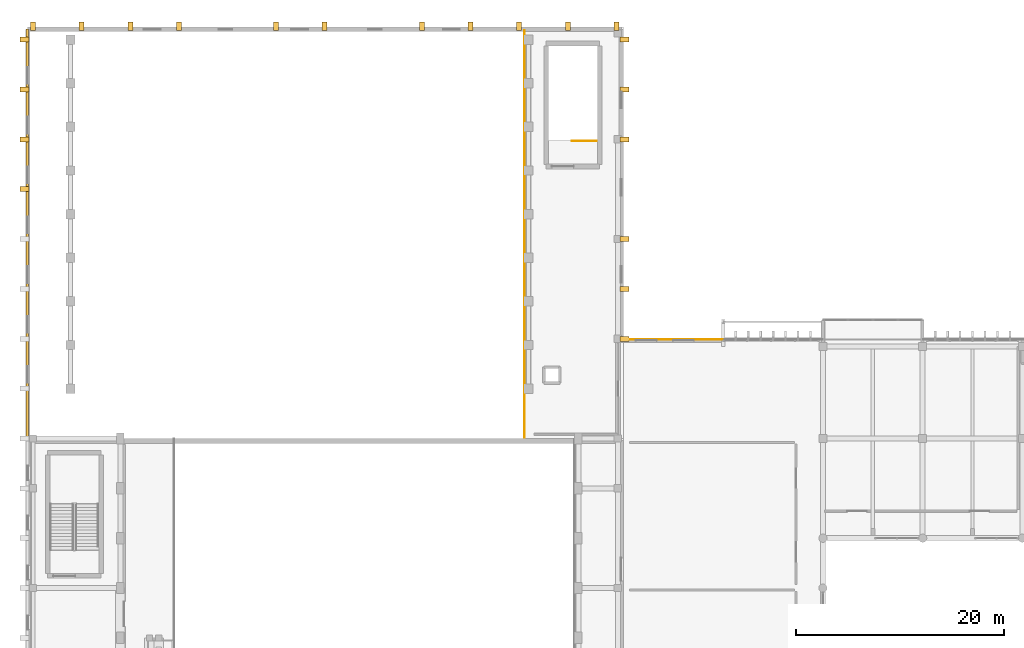
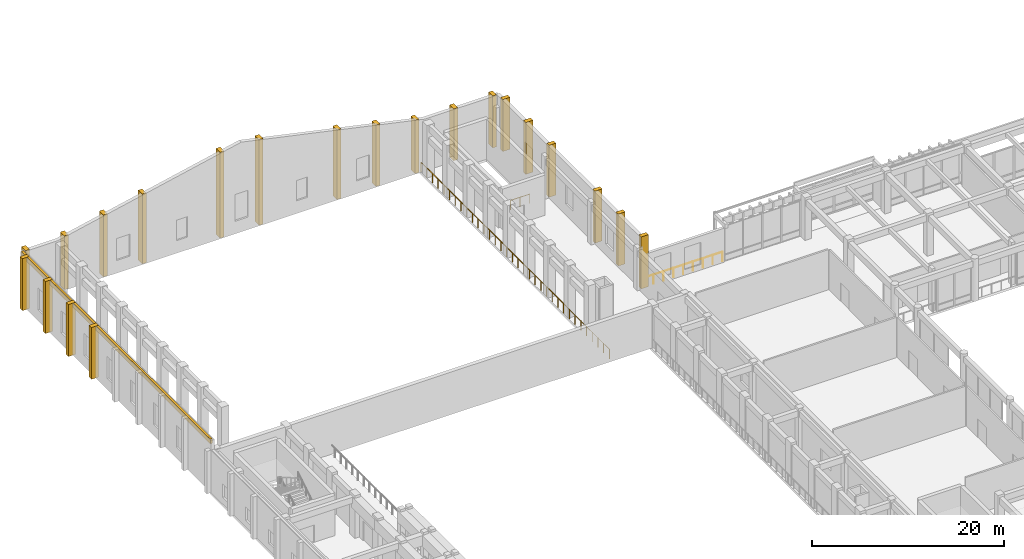
# One storey, part 124 of 134: 22 coverings, 3 railings.
"""IFC4 building model written with IfcOpenShell, lengths in metres."""

from ifc_helpers import new_model, si_unit, direction, frame, origin, origin_2d, place, context, subcontext, project, spatial, rectangle, circle, extrude, material, layer, layer_set, type_object, element, save


model = new_model("IFC4")

# Units and contexts
model_context = context("Model", 3, precision=1e-05, world=origin(), true_north=direction((0.0, 1.0)))
body_context = subcontext(model_context, "Body", "Model", "MODEL_VIEW")
ifc_project = project(units=[si_unit("LENGTHUNIT", "METRE"), si_unit("AREAUNIT", "SQUARE_METRE"), si_unit("VOLUMEUNIT", "CUBIC_METRE"), si_unit("PLANEANGLEUNIT", "RADIAN"), si_unit("MASSUNIT", "GRAM", prefix="KILO")], contexts=[model_context])

# Site, building, storey
site_placement = place(None, origin())
site = spatial("IfcSite", under=ifc_project, at=site_placement, CompositionType="ELEMENT")
building_placement = place(site_placement, origin())
building = spatial("IfcBuilding", under=site, at=building_placement, Name="Nakhvara Creek Congress Hotel", CompositionType="ELEMENT")
storey_placement = place(building_placement, frame((0.0, 0.0, 6.0)))
storey = spatial("IfcBuildingStorey", under=building, at=storey_placement, Name="L01", CompositionType="ELEMENT", Elevation=6.0)

# Coverings
ifc_material_1 = material(Name="Honed pale Omani limestone architectural cladding", Category="masonry")
ifc_layer_1 = layer(ifc_material_1, 0.239990234375)
ifc_layer_set_1 = layer_set([ifc_layer_1], Name="Honed pale Omani limestone architectural cladding")
covering_type_1 = type_object("IfcCoveringType", Name="COV-ARCH-240", PredefinedType="CLADDING", material=ifc_layer_set_1)
covering_1_placement = place(storey_placement, frame((0.18994140625, 106.10009765625, 6.02001953125), z_axis=(0.0, 0.0, 1.0), x_axis=(0.0, 1.0, 0.0)))
element("IfcCovering", 1, at=covering_1_placement, inside=storey, type_object=covering_type_1, Name="Pale Limestone Spandrel Band CF04-0038", PredefinedType="CLADDING", context=body_context, shape_type="SweptSolid", body=[
    extrude(rectangle(XDim=39.39990234375, YDim=0.260009765625, at=origin_2d()), origin(), (0.0, 0.0, 1.0), 0.580078125),
])
ifc_layer_2 = layer(ifc_material_1, 0.449951171875)
ifc_layer_set_2 = layer_set([ifc_layer_2], Name="Honed pale Omani limestone architectural cladding")
covering_type_2 = type_object("IfcCoveringType", Name="COV-BUTT-850", PredefinedType="CLADDING", material=ifc_layer_set_2)
for number, where, z_axis, x_axis, name in (
    (2, (57.68505859375, 96.0, 0.0), (0.0, 0.0, 1.0), (0.0, 1.0, 0.0), "Gothic Limestone Buttress Pier CF03-0461"),
    (3, (57.68505859375, 100.800048828125, 0.0), (0.0, 0.0, 1.0), (0.0, 1.0, 0.0), "Gothic Limestone Buttress Pier CF03-0463"),
    (4, (57.68505859375, 105.60009765625, 0.0), (0.0, 0.0, 1.0), (0.0, 1.0, 0.0), "Gothic Limestone Buttress Pier CF03-0465"),
    (5, (-0.0849609375, 110.39990234375, 0.0), (0.0, 0.0, 1.0), (0.0, 1.0, 0.0), "Gothic Limestone Buttress Pier CF03-0466"),
    (6, (-0.0849609375, 115.199951171875, 0.0), (0.0, 0.0, 1.0), (0.0, 1.0, 0.0), "Gothic Limestone Buttress Pier CF03-0467"),
    (7, (57.68505859375, 115.199951171875, 0.0), (0.0, 0.0, 1.0), (0.0, 1.0, 0.0), "Gothic Limestone Buttress Pier CF03-0468"),
    (8, (-0.0849609375, 120.0, 0.0), (0.0, 0.0, 1.0), (0.0, 1.0, 0.0), "Gothic Limestone Buttress Pier CF03-0469"),
    (9, (57.68505859375, 120.0, 0.0), (0.0, 0.0, 1.0), (0.0, 1.0, 0.0), "Gothic Limestone Buttress Pier CF03-0470"),
    (10, (-0.0849609375, 124.800048828125, 0.0), (0.0, 0.0, 1.0), (0.0, 1.0, 0.0), "Gothic Limestone Buttress Pier CF03-0471"),
    (11, (57.68505859375, 124.800048828125, 0.0), (0.0, 0.0, 1.0), (0.0, 1.0, 0.0), "Gothic Limestone Buttress Pier CF03-0472"),
    (12, (0.75, 126.0849609375, 0.0), (0.0, 0.0, 1.0), (1.0, 0.0, 0.0), "Gothic Limestone Buttress Pier CF03-0473"),
):
    element("IfcCovering", number, at=place(storey_placement, frame(where, z_axis=z_axis, x_axis=x_axis)), inside=storey, type_object=covering_type_2, Name=name, PredefinedType="CLADDING", context=body_context, shape_type="SweptSolid", body=[
        extrude(rectangle(XDim=0.47998046875, YDim=0.85009765625, at=origin_2d()), origin(), (0.0, 0.0, 1.0), 6.60009765625),
    ])
covering_2_placement = place(storey_placement, frame((5.429931640625, 126.0849609375, 0.0), z_axis=(0.0, 0.0, 1.0), x_axis=(1.0, 0.0, 0.0)))
element("IfcCovering", 13, at=covering_2_placement, inside=storey, type_object=covering_type_2, Name="Gothic Limestone Buttress Pier CF03-0474", PredefinedType="CLADDING", context=body_context, shape_type="SweptSolid", body=[
    extrude(rectangle(XDim=0.47998046875, YDim=0.85009765625, at=origin_2d()), origin(), (0.0, 0.0, 1.0), 6.835205078125),
])
covering_3_placement = place(storey_placement, frame((10.110107421875, 126.0849609375, 0.0), z_axis=(0.0, 0.0, 1.0), x_axis=(1.0, 0.0, 0.0)))
element("IfcCovering", 14, at=covering_3_placement, inside=storey, type_object=covering_type_2, Name="Gothic Limestone Buttress Pier CF03-0475", PredefinedType="CLADDING", context=body_context, shape_type="SweptSolid", body=[
    extrude(rectangle(XDim=0.47998046875, YDim=0.85009765625, at=origin_2d()), origin(), (0.0, 0.0, 1.0), 7.85400390625),
])
covering_4_placement = place(storey_placement, frame((14.7900390625, 126.0849609375, 0.0), z_axis=(0.0, 0.0, 1.0), x_axis=(1.0, 0.0, 0.0)))
element("IfcCovering", 15, at=covering_4_placement, inside=storey, type_object=covering_type_2, Name="Gothic Limestone Buttress Pier CF03-0476", PredefinedType="CLADDING", context=body_context, shape_type="SweptSolid", body=[
    extrude(rectangle(XDim=0.47998046875, YDim=0.85009765625, at=origin_2d()), origin(), (0.0, 0.0, 1.0), 8.872802734375),
])
covering_5_placement = place(storey_placement, frame((24.14990234375, 126.0849609375, 0.0), z_axis=(0.0, 0.0, 1.0), x_axis=(1.0, 0.0, 0.0)))
element("IfcCovering", 16, at=covering_5_placement, inside=storey, type_object=covering_type_2, Name="Gothic Limestone Buttress Pier CF03-0477", PredefinedType="CLADDING", context=body_context, shape_type="SweptSolid", body=[
    extrude(rectangle(XDim=0.47998046875, YDim=0.85009765625, at=origin_2d()), origin(), (0.0, 0.0, 1.0), 10.91015625),
])
covering_6_placement = place(storey_placement, frame((28.830078125, 126.0849609375, 0.0), z_axis=(0.0, 0.0, 1.0), x_axis=(1.0, 0.0, 0.0)))
element("IfcCovering", 17, at=covering_6_placement, inside=storey, type_object=covering_type_2, Name="Gothic Limestone Buttress Pier CF03-0478", PredefinedType="CLADDING", context=body_context, shape_type="SweptSolid", body=[
    extrude(rectangle(XDim=0.47998046875, YDim=0.85009765625, at=origin_2d()), origin(), (0.0, 0.0, 1.0), 10.87109375),
])
covering_7_placement = place(storey_placement, frame((38.18994140625, 126.0849609375, 0.0), z_axis=(0.0, 0.0, 1.0), x_axis=(1.0, 0.0, 0.0)))
element("IfcCovering", 18, at=covering_7_placement, inside=storey, type_object=covering_type_2, Name="Gothic Limestone Buttress Pier CF03-0479", PredefinedType="CLADDING", context=body_context, shape_type="SweptSolid", body=[
    extrude(rectangle(XDim=0.47998046875, YDim=0.85009765625, at=origin_2d()), origin(), (0.0, 0.0, 1.0), 8.83349609375),
])
covering_8_placement = place(storey_placement, frame((42.8701171875, 126.0849609375, 0.0), z_axis=(0.0, 0.0, 1.0), x_axis=(1.0, 0.0, 0.0)))
element("IfcCovering", 19, at=covering_8_placement, inside=storey, type_object=covering_type_2, Name="Gothic Limestone Buttress Pier CF03-0480", PredefinedType="CLADDING", context=body_context, shape_type="SweptSolid", body=[
    extrude(rectangle(XDim=0.47998046875, YDim=0.85009765625, at=origin_2d()), origin(), (0.0, 0.0, 1.0), 7.814697265625),
])
covering_9_placement = place(storey_placement, frame((47.550048828125, 126.0849609375, 0.0), z_axis=(0.0, 0.0, 1.0), x_axis=(1.0, 0.0, 0.0)))
element("IfcCovering", 20, at=covering_9_placement, inside=storey, type_object=covering_type_2, Name="Gothic Limestone Buttress Pier CF03-0481", PredefinedType="CLADDING", context=body_context, shape_type="SweptSolid", body=[
    extrude(rectangle(XDim=0.47998046875, YDim=0.85009765625, at=origin_2d()), origin(), (0.0, 0.0, 1.0), 6.7958984375),
])
for number, where, z_axis, x_axis, name in (
    (21, (52.22998046875, 126.0849609375, 0.0), (0.0, 0.0, 1.0), (1.0, 0.0, 0.0), "Gothic Limestone Buttress Pier CF03-0482"),
    (22, (56.909912109375, 126.0849609375, 0.0), (0.0, 0.0, 1.0), (1.0, 0.0, 0.0), "Gothic Limestone Buttress Pier CF03-0483"),
):
    element("IfcCovering", number, at=place(storey_placement, frame(where, z_axis=z_axis, x_axis=x_axis)), inside=storey, type_object=covering_type_2, Name=name, PredefinedType="CLADDING", context=body_context, shape_type="SweptSolid", body=[
        extrude(rectangle(XDim=0.47998046875, YDim=0.85009765625, at=origin_2d()), origin(), (0.0, 0.0, 1.0), 6.60009765625),
    ])

# Railings
ifc_material_2 = material(Name="Brushed stainless steel 316L", Category="steel")
railing_type = type_object("IfcRailingType", Name="RL-GUARD-1200", PredefinedType="GUARDRAIL", material=ifc_material_2)
railing_1_placement = place(storey_placement, frame((57.659912109375, 95.919921875, 0.0)))
element("IfcRailing", 23, at=railing_1_placement, inside=storey, type_object=railing_type, Name="North Conference Edge Guard L01-57", PredefinedType="GUARDRAIL", context=body_context, shape_type="SweptSolid", body=[
    extrude(circle(Radius=0.02392578125, at=origin_2d()), frame((0.0146484375, 0.0, 1.17578125), z_axis=(1.0, 0.0, 0.0), x_axis=(0.0, 1.0, 0.0)), (0.0, 0.0, 1.0), 9.45068359375),
    extrude(circle(Radius=0.02099609375, at=origin_2d()), origin(), (0.0, 0.0, 1.0), 1.1806640625),
    extrude(circle(Radius=0.02099609375, at=origin_2d()), frame((1.18505859375, 0.0, 0.0)), (0.0, 0.0, 1.0), 1.1806640625),
    extrude(circle(Radius=0.02099609375, at=origin_2d()), frame((2.3701171875, 0.0, 0.0)), (0.0, 0.0, 1.0), 1.1806640625),
    extrude(circle(Radius=0.02099609375, at=origin_2d()), frame((3.554931640625, 0.0, 0.0)), (0.0, 0.0, 1.0), 1.1806640625),
    extrude(circle(Radius=0.02099609375, at=origin_2d()), frame((4.739990234375, 0.0, 0.0)), (0.0, 0.0, 1.0), 1.1806640625),
    extrude(circle(Radius=0.02099609375, at=origin_2d()), frame((5.925048828125, 0.0, 0.0)), (0.0, 0.0, 1.0), 1.1806640625),
    extrude(circle(Radius=0.02099609375, at=origin_2d()), frame((7.10986328125, 0.0, 0.0)), (0.0, 0.0, 1.0), 1.1806640625),
    extrude(circle(Radius=0.02099609375, at=origin_2d()), frame((8.294921875, 0.0, 0.0)), (0.0, 0.0, 1.0), 1.1806640625),
    extrude(circle(Radius=0.02099609375, at=origin_2d()), frame((9.47998046875, 0.0, 0.0)), (0.0, 0.0, 1.0), 1.1806640625),
])
railing_2_placement = place(storey_placement, frame((54.989990234375, 115.030029296875, 0.0)))
element("IfcRailing", 24, at=railing_2_placement, inside=storey, type_object=railing_type, Name="L01 ST08 top well guard 1", PredefinedType="GUARDRAIL", context=body_context, shape_type="SweptSolid", body=[
    extrude(circle(Radius=0.02392578125, at=origin_2d()), frame((-0.0146484375, 0.0, 1.17578125), z_axis=(-1.0, 0.0, 0.0), x_axis=(0.0, -1.0, 0.0)), (0.0, 0.0, 1.0), 2.310791015625),
    extrude(circle(Radius=0.02099609375, at=origin_2d()), origin(), (0.0, 0.0, 1.0), 1.1806640625),
    extrude(circle(Radius=0.02099609375, at=origin_2d()), frame((-1.169921875, 0.0, 0.0)), (0.0, 0.0, 1.0), 1.1806640625),
    extrude(circle(Radius=0.02099609375, at=origin_2d()), frame((-2.340087890625, 0.0, 0.0)), (0.0, 0.0, 1.0), 1.1806640625),
])
railing_3_placement = place(storey_placement, frame((48.080078125, 86.5, 0.0)))
element("IfcRailing", 25, at=railing_3_placement, inside=storey, type_object=railing_type, Name="Ballroom Technical Gallery Guard L01", PredefinedType="GUARDRAIL", context=body_context, shape_type="SweptSolid", body=[
    extrude(circle(Radius=0.02392578125, at=origin_2d()), frame((0.0, 0.0146484375, 1.17578125), z_axis=(0.0, 1.0, 0.0), x_axis=(-1.0, 0.0, 0.0)), (0.0, 0.0, 1.0), 39.170654296875),
    extrude(circle(Radius=0.02099609375, at=origin_2d()), origin(), (0.0, 0.0, 1.0), 1.1806640625),
    extrude(circle(Radius=0.02099609375, at=origin_2d()), frame((0.0, 1.18798828125, 0.0)), (0.0, 0.0, 1.0), 1.1806640625),
    extrude(circle(Radius=0.02099609375, at=origin_2d()), frame((0.0, 2.375732421875, 0.0)), (0.0, 0.0, 1.0), 1.1806640625),
    extrude(circle(Radius=0.02099609375, at=origin_2d()), frame((0.0, 3.563720703125, 0.0)), (0.0, 0.0, 1.0), 1.1806640625),
    extrude(circle(Radius=0.02099609375, at=origin_2d()), frame((0.0, 4.75146484375, 0.0)), (0.0, 0.0, 1.0), 1.1806640625),
    extrude(circle(Radius=0.02099609375, at=origin_2d()), frame((0.0, 5.939453125, 0.0)), (0.0, 0.0, 1.0), 1.1806640625),
    extrude(circle(Radius=0.02099609375, at=origin_2d()), frame((0.0, 7.127197265625, 0.0)), (0.0, 0.0, 1.0), 1.1806640625),
    extrude(circle(Radius=0.02099609375, at=origin_2d()), frame((0.0, 8.315185546875, 0.0)), (0.0, 0.0, 1.0), 1.1806640625),
    extrude(circle(Radius=0.02099609375, at=origin_2d()), frame((0.0, 9.5029296875, 0.0)), (0.0, 0.0, 1.0), 1.1806640625),
    extrude(circle(Radius=0.02099609375, at=origin_2d()), frame((0.0, 10.69091796875, 0.0)), (0.0, 0.0, 1.0), 1.1806640625),
    extrude(circle(Radius=0.02099609375, at=origin_2d()), frame((0.0, 11.878662109375, 0.0)), (0.0, 0.0, 1.0), 1.1806640625),
    extrude(circle(Radius=0.02099609375, at=origin_2d()), frame((0.0, 13.066650390625, 0.0)), (0.0, 0.0, 1.0), 1.1806640625),
    extrude(circle(Radius=0.02099609375, at=origin_2d()), frame((0.0, 14.254638671875, 0.0)), (0.0, 0.0, 1.0), 1.1806640625),
    extrude(circle(Radius=0.02099609375, at=origin_2d()), frame((0.0, 15.4423828125, 0.0)), (0.0, 0.0, 1.0), 1.1806640625),
    extrude(circle(Radius=0.02099609375, at=origin_2d()), frame((0.0, 16.63037109375, 0.0)), (0.0, 0.0, 1.0), 1.1806640625),
    extrude(circle(Radius=0.02099609375, at=origin_2d()), frame((0.0, 17.818115234375, 0.0)), (0.0, 0.0, 1.0), 1.1806640625),
    extrude(circle(Radius=0.02099609375, at=origin_2d()), frame((0.0, 19.006103515625, 0.0)), (0.0, 0.0, 1.0), 1.1806640625),
    extrude(circle(Radius=0.02099609375, at=origin_2d()), frame((0.0, 20.19384765625, 0.0)), (0.0, 0.0, 1.0), 1.1806640625),
    extrude(circle(Radius=0.02099609375, at=origin_2d()), frame((0.0, 21.3818359375, 0.0)), (0.0, 0.0, 1.0), 1.1806640625),
    extrude(circle(Radius=0.02099609375, at=origin_2d()), frame((0.0, 22.569580078125, 0.0)), (0.0, 0.0, 1.0), 1.1806640625),
    extrude(circle(Radius=0.02099609375, at=origin_2d()), frame((0.0, 23.757568359375, 0.0)), (0.0, 0.0, 1.0), 1.1806640625),
    extrude(circle(Radius=0.02099609375, at=origin_2d()), frame((0.0, 24.9453125, 0.0)), (0.0, 0.0, 1.0), 1.1806640625),
    extrude(circle(Radius=0.02099609375, at=origin_2d()), frame((0.0, 26.13330078125, 0.0)), (0.0, 0.0, 1.0), 1.1806640625),
    extrude(circle(Radius=0.02099609375, at=origin_2d()), frame((0.0, 27.3212890625, 0.0)), (0.0, 0.0, 1.0), 1.1806640625),
    extrude(circle(Radius=0.02099609375, at=origin_2d()), frame((0.0, 28.509033203125, 0.0)), (0.0, 0.0, 1.0), 1.1806640625),
    extrude(circle(Radius=0.02099609375, at=origin_2d()), frame((0.0, 29.697021484375, 0.0)), (0.0, 0.0, 1.0), 1.1806640625),
    extrude(circle(Radius=0.02099609375, at=origin_2d()), frame((0.0, 30.884765625, 0.0)), (0.0, 0.0, 1.0), 1.1806640625),
    extrude(circle(Radius=0.02099609375, at=origin_2d()), frame((0.0, 32.07275390625, 0.0)), (0.0, 0.0, 1.0), 1.1806640625),
    extrude(circle(Radius=0.02099609375, at=origin_2d()), frame((0.0, 33.260498046875, 0.0)), (0.0, 0.0, 1.0), 1.1806640625),
    extrude(circle(Radius=0.02099609375, at=origin_2d()), frame((0.0, 34.448486328125, 0.0)), (0.0, 0.0, 1.0), 1.1806640625),
    extrude(circle(Radius=0.02099609375, at=origin_2d()), frame((0.0, 35.63623046875, 0.0)), (0.0, 0.0, 1.0), 1.1806640625),
    extrude(circle(Radius=0.02099609375, at=origin_2d()), frame((0.0, 36.82421875, 0.0)), (0.0, 0.0, 1.0), 1.1806640625),
    extrude(circle(Radius=0.02099609375, at=origin_2d()), frame((0.0, 38.011962890625, 0.0)), (0.0, 0.0, 1.0), 1.1806640625),
    extrude(circle(Radius=0.02099609375, at=origin_2d()), frame((0.0, 39.199951171875, 0.0)), (0.0, 0.0, 1.0), 1.1806640625),
])

save(model, "model.ifc")
